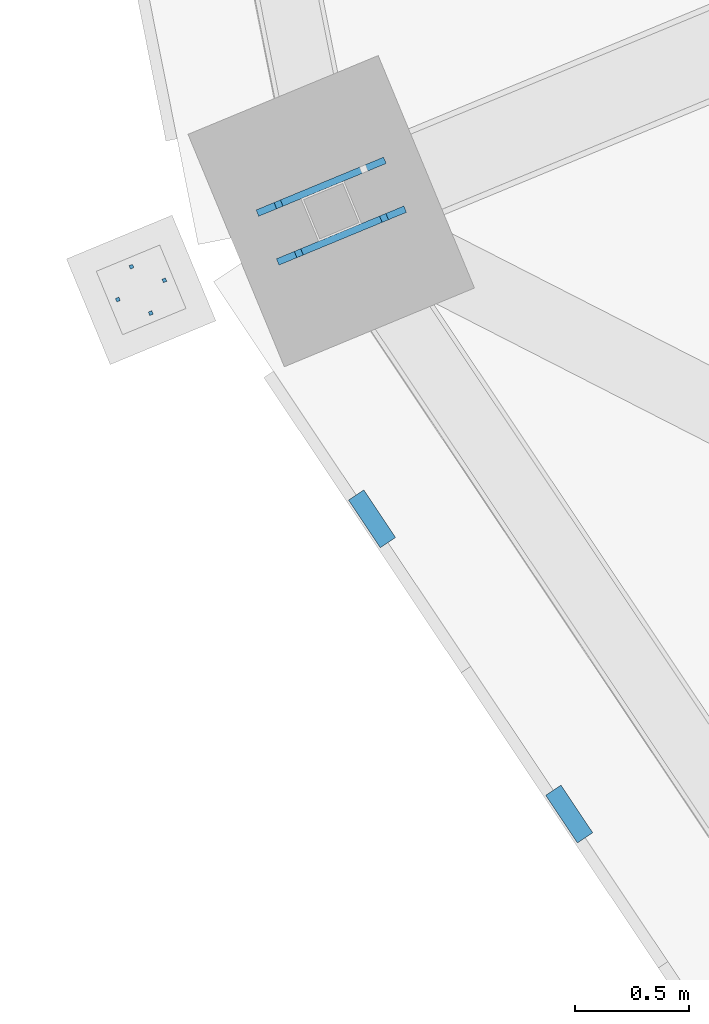
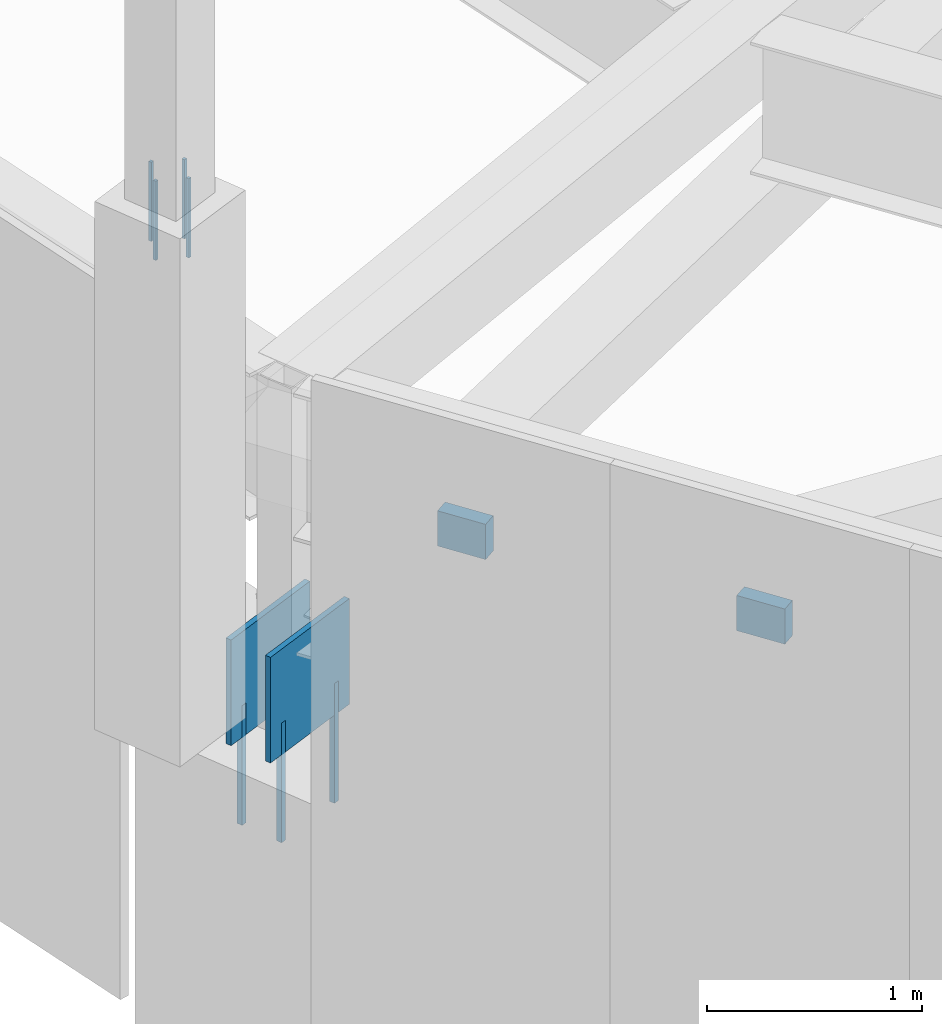
# One storey, part 113 of 278: 7 mechanical fasteners, 4 discrete accessories.
"""IFC4 building model written with IfcOpenShell, lengths in metres."""

from ifc_helpers import new_model, si_unit, direction, frame, origin, origin_2d, place, context, subcontext, project, spatial, rectangle, extrude, material, layer, layer_set, type_object, element, save


model = new_model("IFC4")

# Units and contexts
model_context = context("Model", 3, precision=1e-05, world=origin(), true_north=direction((0.0, 1.0)))
body_context = subcontext(model_context, "Body", "Model", "MODEL_VIEW")
ifc_project = project(units=[si_unit("LENGTHUNIT", "METRE"), si_unit("AREAUNIT", "SQUARE_METRE"), si_unit("VOLUMEUNIT", "CUBIC_METRE"), si_unit("PLANEANGLEUNIT", "RADIAN"), si_unit("MASSUNIT", "GRAM", prefix="KILO")], contexts=[model_context])

# Site, building, storey
site_placement = place(None, origin())
site = spatial("IfcSite", under=ifc_project, at=site_placement, CompositionType="ELEMENT")
building_placement = place(site_placement, origin())
building = spatial("IfcBuilding", under=site, at=building_placement, Name="Ogive Plaza Stadium", CompositionType="ELEMENT")
storey_placement = place(building_placement, frame((0.0, 0.0, 29.0)))
storey = spatial("IfcBuildingStorey", under=building, at=storey_placement, Name="Roof", CompositionType="ELEMENT", Elevation=29.0)

# Mechanical fasteners
ifc_material_1 = material(Name="Steel ASTM A992 Grade 50", Category="steel")
mechanical_fastener_type_1 = type_object("IfcMechanicalFastenerType", Name="Anchor bolt M30 x 600", PredefinedType="ANCHORBOLT", material=ifc_material_1)
for number, where, z_axis, x_axis, name in (
    (1, (-80.3359375, -71.818115234375, 3.0), (0.0, 0.0, 1.0), (-0.923879532511, -0.382683432365, 0.0), "ANCHOR BOLT 20 BF 1.1"),
    (2, (-79.96337890625, -71.663818359375, 3.0), (0.0, 0.0, 1.0), (-0.923879532511, -0.382683432365, 0.0), "ANCHOR BOLT 20 BF 1.2"),
    (3, (-80.424560546875, -71.6044921875, 3.0), (0.0, 0.0, 1.0), (-0.923879532511, -0.382683432365, 0.0), "ANCHOR BOLT 20 BF 2.1"),
):
    element("IfcMechanicalFastener", number, at=place(storey_placement, frame(where, z_axis=z_axis, x_axis=x_axis)), inside=storey, type_object=mechanical_fastener_type_1, Name=name, PredefinedType="ANCHORBOLT", context=body_context, shape_type="SweptSolid", body=[
        extrude(rectangle(XDim=0.030029296875, YDim=0.030029296875, at=origin_2d()), origin(), (0.0, 0.0, 1.0), 0.679931640625),
    ])
ifc_material_2 = material(Name="Steel ASTM A992 Grade 50", Category="steel")
mechanical_fastener_type_2 = type_object("IfcMechanicalFastenerType", Name="Spire anchor bolt M16 x 450", PredefinedType="ANCHORBOLT", material=ifc_material_2)
for number, where, z_axis, x_axis, name in (
    (4, (-81.127197265625, -72.020751953125, 6.7001953125), (0.0, 0.0, 1.0), (-0.923879532511, -0.382683432365, 0.0), "SPIRE ANCHOR BOLT 20 1"),
    (5, (-80.923828125, -71.9365234375, 6.7001953125), (0.0, 0.0, 1.0), (-0.923879532511, -0.382683432365, 0.0), "SPIRE ANCHOR BOLT 20 2"),
    (6, (-80.9833984375, -72.080078125, 6.7001953125), (0.0, 0.0, 1.0), (-0.923879532511, -0.382683432365, 0.0), "SPIRE ANCHOR BOLT 20 3"),
    (7, (-81.067626953125, -71.876953125, 6.7001953125), (0.0, 0.0, 1.0), (-0.923879532511, -0.382683432365, 0.0), "SPIRE ANCHOR BOLT 20 4"),
):
    element("IfcMechanicalFastener", number, at=place(storey_placement, frame(where, z_axis=z_axis, x_axis=x_axis)), inside=storey, type_object=mechanical_fastener_type_2, Name=name, PredefinedType="ANCHORBOLT", context=body_context, shape_type="SweptSolid", body=[
        extrude(rectangle(XDim=0.01611328125, YDim=0.01611328125, at=origin_2d()), origin(), (0.0, 0.0, 1.0), 0.449951171875),
    ])

# Discrete accessories
ifc_material_3 = material(Name="Steel ASTM A572 Grade 50", Category="steel")
ifc_layer_1 = layer(ifc_material_3, 0.080078125)
ifc_layer_set_1 = layer_set([ifc_layer_1], Name="Steel ASTM A572 Grade 50")
discrete_accessory_type_1 = type_object("IfcDiscreteAccessoryType", Name="Tracery screen bracket 250x200", PredefinedType="BRACKET", material=ifc_layer_set_1)
for number, where, z_axis, x_axis, name in (
    (8, (-79.153564453125, -74.270263671875, 5.25), (0.0, 0.0, 1.0), (-0.55557023302, 0.831469612303, 0.0), "TRACERY SCREEN BRACKET B19 11"),
    (9, (-80.015869140625, -72.9794921875, 5.25), (0.0, 0.0, 1.0), (-0.55557023302, 0.831469612303, 0.0), "TRACERY SCREEN BRACKET B19 12"),
):
    element("IfcDiscreteAccessory", number, at=place(storey_placement, frame(where, z_axis=z_axis, x_axis=x_axis)), inside=storey, type_object=discrete_accessory_type_1, Name=name, PredefinedType="BRACKET", context=body_context, shape_type="SweptSolid", body=[
        extrude(rectangle(XDim=0.25, YDim=0.080078125, at=origin_2d()), origin(), (0.0, 0.0, 1.0), 0.199951171875),
    ])
ifc_material_4 = material(Name="Steel ASTM A992 Grade 50", Category="steel")
ifc_layer_2 = layer(ifc_material_4, 0.030029296875)
ifc_layer_set_2 = layer_set([ifc_layer_2], Name="Steel ASTM A992 Grade 50")
discrete_accessory_type_2 = type_object("IfcDiscreteAccessoryType", Name="Truss back-stay foot cleat plate 30", PredefinedType="ANCHORPLATE", material=ifc_layer_set_2)
for number, where, z_axis, x_axis, name in (
    (10, (-80.149658203125, -71.740966796875, 3.5), (0.0, 0.0, 1.0), (-0.923879532511, -0.382683432365, 0.0), "TRUSS BACK-STAY FOOT CLEAT PLATE 20 1"),
    (11, (-80.23828125, -71.52734375, 3.5), (0.0, 0.0, 1.0), (-0.923879532511, -0.382683432365, 0.0), "TRUSS BACK-STAY FOOT CLEAT PLATE 20 2"),
):
    element("IfcDiscreteAccessory", number, at=place(storey_placement, frame(where, z_axis=z_axis, x_axis=x_axis)), inside=storey, type_object=discrete_accessory_type_2, Name=name, PredefinedType="ANCHORPLATE", context=body_context, shape_type="SweptSolid", body=[
        extrude(rectangle(XDim=0.603271484375, YDim=0.030029296875, at=origin_2d()), origin(), (0.0, 0.0, 1.0), 0.60009765625),
    ])

save(model, "model.ifc")
